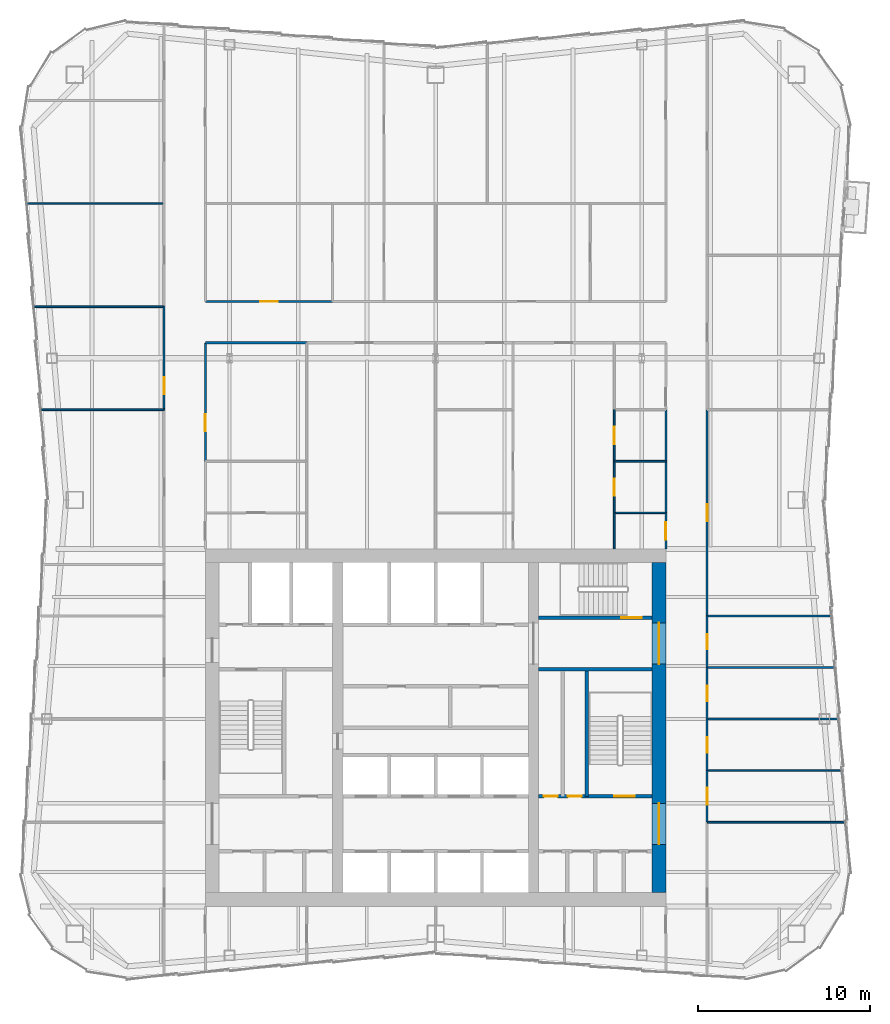
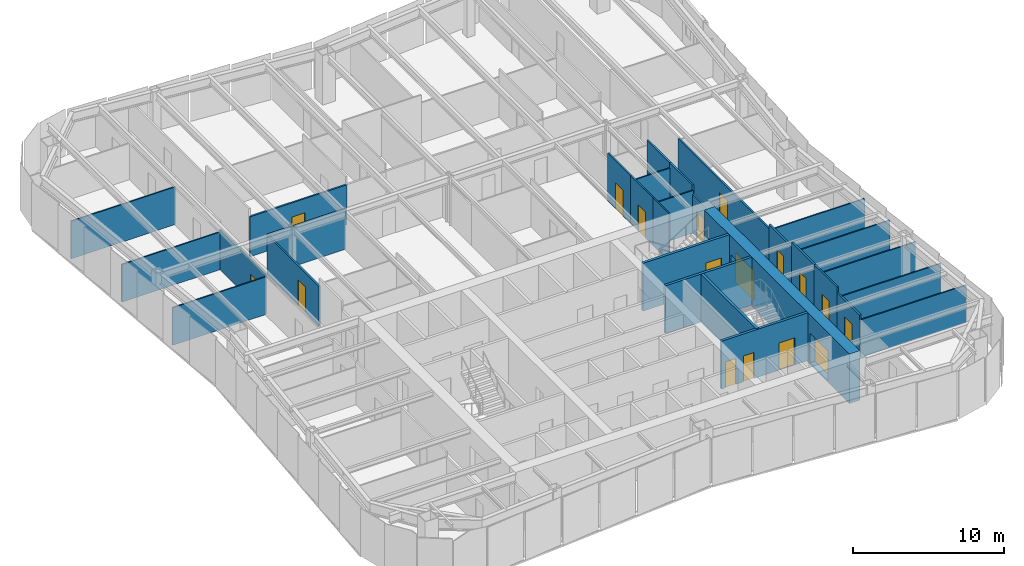
# One storey, part 8 of 12: 30 walls, 17 doors, 17 openings.
"""IFC4 building model written with IfcOpenShell, lengths in metres."""

from ifc_helpers import new_model, si_unit, direction, frame, frame_2d, origin, place, context, subcontext, project, spatial, rectangle, extrude, material, layer, layer_set, type_object, element, fill, save


model = new_model("IFC4")

# Units and contexts
model_context = context("Model", 3, precision=1e-05, world=origin(), true_north=direction((0.0, 1.0)))
body_context = subcontext(model_context, "Body", "Model", "MODEL_VIEW")
ifc_project = project(units=[si_unit("LENGTHUNIT", "METRE"), si_unit("AREAUNIT", "SQUARE_METRE"), si_unit("VOLUMEUNIT", "CUBIC_METRE"), si_unit("PLANEANGLEUNIT", "RADIAN"), si_unit("MASSUNIT", "GRAM", prefix="KILO")], contexts=[model_context])

# Site, building, storey
site_placement = place(None, origin())
site = spatial("IfcSite", under=ifc_project, at=site_placement, CompositionType="ELEMENT")
building_placement = place(site_placement, origin())
building = spatial("IfcBuilding", under=site, at=building_placement, Name="Verdant Reach Tower", CompositionType="ELEMENT")
storey_placement = place(building_placement, frame((0.0, 0.0, 266.0)))
storey = spatial("IfcBuildingStorey", under=building, at=storey_placement, Name="L61", CompositionType="ELEMENT", Elevation=266.0)

# Wall, openings, doors
ifc_material_1 = material(Name="Concrete C40/50", Category="concrete")
ifc_layer_1 = layer(ifc_material_1, 0.199951171875)
ifc_layer_set_1 = layer_set([ifc_layer_1], Name="CO-WALL-STAIR")
wall_type_1 = type_object("IfcWallType", Name="CO-WALL-STAIR", PredefinedType="PARTITIONING", material=ifc_layer_set_1)
wall_1_placement = place(storey_placement, frame((6.0, 24.0, 0.0), z_axis=(0.0, 0.0, 1.0), x_axis=(1.0, 0.0, 0.0)))
wall_1 = element("IfcWall", 1, at=wall_1_placement, inside=storey, type_object=wall_type_1, Name="Stair enclosure wall, L61", PredefinedType="PARTITIONING", context=body_context, shape_type="SweptSolid", body=[
    extrude(rectangle(XDim=6.60009765625, YDim=0.199951171875, at=frame_2d((3.300048828125, 0.0))), origin(), (0.0, 0.0, 1.0), 3.8701171875),
])
opening_1_placement = place(wall_1_placement, frame((0.300048828125, 0.0, 0.0)))
opening_1 = element("IfcOpeningElement", 2, at=opening_1_placement, cuts=wall_1, Name="Opening CDN", PredefinedType="OPENING", context=body_context, shape_type="SweptSolid", body=[
    extrude(rectangle(XDim=0.800048828125, YDim=2.10009765625, at=frame_2d((0.39990234375, 1.050048828125))), frame((0.0, 0.10986328125, 0.0), z_axis=(0.0, -1.0, 0.0), x_axis=(1.0, 0.0, 0.0)), (0.0, 0.0, 1.0), 0.219970703125),
])
opening_2_placement = place(wall_1_placement, frame((1.699951171875, 0.0, 0.0)))
opening_2 = element("IfcOpeningElement", 3, at=opening_2_placement, cuts=wall_1, Name="Opening CDN", PredefinedType="OPENING", context=body_context, shape_type="SweptSolid", body=[
    extrude(rectangle(XDim=0.800048828125, YDim=2.10009765625, at=frame_2d((0.39990234375, 1.050048828125))), frame((0.0, 0.10986328125, 0.0), z_axis=(0.0, -1.0, 0.0), x_axis=(1.0, 0.0, 0.0)), (0.0, 0.0, 1.0), 0.219970703125),
])
opening_3_placement = place(wall_1_placement, frame((4.39990234375, 0.0, 0.0)))
opening_3 = element("IfcOpeningElement", 4, at=opening_3_placement, cuts=wall_1, Name="Opening SD", PredefinedType="OPENING", context=body_context, shape_type="SweptSolid", body=[
    extrude(rectangle(XDim=1.199951171875, YDim=2.199951171875, at=frame_2d((0.60009765625, 1.10009765625))), frame((0.0, 0.10986328125, 0.0), z_axis=(0.0, -1.0, 0.0), x_axis=(1.0, 0.0, 0.0)), (0.0, 0.0, 1.0), 0.219970703125),
])
ifc_material_2 = material(Name="Timber", Category="wood")
door_type_1 = type_object("IfcDoorType", Name="CO-DOOR-ROOM-NARROW", OperationType="NOTDEFINED", PredefinedType="DOOR", material=ifc_material_2)
door_1_placement = place(opening_1_placement, origin())
door_1 = element("IfcDoor", 5, at=door_1_placement, inside=storey, type_object=door_type_1, Name="Core room door, L61", OperationType="SINGLE_SWING_LEFT", OverallHeight=2.10009765625, OverallWidth=0.800048828125, PredefinedType="DOOR", context=body_context, shape_type="SweptSolid", body=[
    extrude(rectangle(XDim=0.800048828125, YDim=2.10009765625, at=frame_2d((0.39990234375, 1.050048828125))), frame((0.0, 0.02490234375, 0.0), z_axis=(0.0, -1.0, 0.0), x_axis=(1.0, 0.0, 0.0)), (0.0, 0.0, 1.0), 0.050048828125),
])
fill(opening_1, door_1)
door_2_placement = place(opening_2_placement, origin())
door_2 = element("IfcDoor", 6, at=door_2_placement, inside=storey, type_object=door_type_1, Name="Core room door, L61", OperationType="SINGLE_SWING_RIGHT", OverallHeight=2.10009765625, OverallWidth=0.800048828125, PredefinedType="DOOR", context=body_context, shape_type="SweptSolid", body=[
    extrude(rectangle(XDim=0.800048828125, YDim=2.10009765625, at=frame_2d((0.39990234375, 1.050048828125))), frame((0.0, 0.02490234375, 0.0), z_axis=(0.0, -1.0, 0.0), x_axis=(1.0, 0.0, 0.0)), (0.0, 0.0, 1.0), 0.050048828125),
])
fill(opening_2, door_2)
ifc_material_3 = material(Name="Steel", Category="steel")
door_type_2 = type_object("IfcDoorType", Name="CO-DOOR-STAIR", OperationType="NOTDEFINED", PredefinedType="DOOR", material=ifc_material_3)
door_3_placement = place(opening_3_placement, origin())
door_3 = element("IfcDoor", 7, at=door_3_placement, inside=storey, type_object=door_type_2, Name="Stair door, L61", OperationType="SINGLE_SWING_LEFT", OverallHeight=2.199951171875, OverallWidth=1.199951171875, PredefinedType="DOOR", context=body_context, shape_type="SweptSolid", body=[
    extrude(rectangle(XDim=1.199951171875, YDim=2.199951171875, at=frame_2d((0.60009765625, 1.10009765625))), frame((0.0, 0.02490234375, 0.0), z_axis=(0.0, -1.0, 0.0), x_axis=(1.0, 0.0, 0.0)), (0.0, 0.0, 1.0), 0.050048828125),
])
fill(opening_3, door_3)

# Wall
wall_2_placement = place(storey_placement, frame((6.0, 31.39990234375, 0.0), z_axis=(0.0, 0.0, 1.0), x_axis=(1.0, 0.0, 0.0)))
element("IfcWall", 8, at=wall_2_placement, inside=storey, type_object=wall_type_1, Name="Stair enclosure wall, L61", PredefinedType="PARTITIONING", context=body_context, shape_type="SweptSolid", body=[
    extrude(rectangle(XDim=6.60009765625, YDim=0.199951171875, at=frame_2d((3.300048828125, 0.0))), origin(), (0.0, 0.0, 1.0), 3.8701171875),
])

# Wall, opening, door
wall_3_placement = place(storey_placement, frame((6.0, 34.39990234375, 0.0), z_axis=(0.0, 0.0, 1.0), x_axis=(1.0, 0.0, 0.0)))
wall_3 = element("IfcWall", 9, at=wall_3_placement, inside=storey, type_object=wall_type_1, Name="Stair enclosure wall, L61", PredefinedType="PARTITIONING", context=body_context, shape_type="SweptSolid", body=[
    extrude(rectangle(XDim=6.60009765625, YDim=0.199951171875, at=frame_2d((3.300048828125, 0.0))), origin(), (0.0, 0.0, 1.0), 3.8701171875),
])
opening_4_placement = place(wall_3_placement, frame((4.800048828125, 0.0, 0.0)))
opening_4 = element("IfcOpeningElement", 10, at=opening_4_placement, cuts=wall_3, Name="Opening SD", PredefinedType="OPENING", context=body_context, shape_type="SweptSolid", body=[
    extrude(rectangle(XDim=1.199951171875, YDim=2.199951171875, at=frame_2d((0.60009765625, 1.10009765625))), frame((0.0, 0.10986328125, 0.0), z_axis=(0.0, -1.0, 0.0), x_axis=(1.0, 0.0, 0.0)), (0.0, 0.0, 1.0), 0.219970703125),
])
door_4_placement = place(opening_4_placement, origin())
door_4 = element("IfcDoor", 11, at=door_4_placement, inside=storey, type_object=door_type_2, Name="Stair door, L61", OperationType="SINGLE_SWING_RIGHT", OverallHeight=2.199951171875, OverallWidth=1.199951171875, PredefinedType="DOOR", context=body_context, shape_type="SweptSolid", body=[
    extrude(rectangle(XDim=1.199951171875, YDim=2.199951171875, at=frame_2d((0.60009765625, 1.10009765625))), frame((0.0, 0.02490234375, 0.0), z_axis=(0.0, -1.0, 0.0), x_axis=(1.0, 0.0, 0.0)), (0.0, 0.0, 1.0), 0.050048828125),
])
fill(opening_4, door_4)

# Walls
wall_4_placement = place(storey_placement, frame((8.800048828125, 24.0, 0.0), z_axis=(0.0, 0.0, 1.0), x_axis=(0.0, 1.0, 0.0)))
element("IfcWall", 12, at=wall_4_placement, inside=storey, type_object=wall_type_1, Name="Stair enclosure wall, L61", PredefinedType="PARTITIONING", context=body_context, shape_type="SweptSolid", body=[
    extrude(rectangle(XDim=7.39990234375, YDim=0.199951171875, at=frame_2d((3.699951171875, 0.0))), origin(), (0.0, 0.0, 1.0), 3.8701171875),
])
ifc_material_4 = material(Name="Gypsum board on steel studs", Category="steel")
ifc_layer_2 = layer(ifc_material_4, 0.10009765625)
ifc_layer_set_2 = layer_set([ifc_layer_2], Name="FL-W1 Partition 100")
wall_type_2 = type_object("IfcWallType", Name="FL-W1 Partition 100", PredefinedType="PARTITIONING", material=ifc_layer_set_2)
wall_5_placement = place(storey_placement, frame((-15.800048828125, 46.5, 0.0), z_axis=(0.0, 0.0, 1.0), x_axis=(-1.0, 0.0, 0.0)))
element("IfcWall", 13, at=wall_5_placement, inside=storey, type_object=wall_type_2, Name="Partition 61.45", PredefinedType="PARTITIONING", context=body_context, shape_type="SweptSolid", body=[
    extrude(rectangle(XDim=7.14208984375, YDim=0.10009765625, at=frame_2d((3.571044921875, 0.0))), origin(), (0.0, 0.0, 1.0), 3.0400390625),
])
wall_6_placement = place(storey_placement, frame((-15.800048828125, 52.5, 0.0), z_axis=(0.0, 0.0, 1.0), x_axis=(-1.0, 0.0, 0.0)))
element("IfcWall", 14, at=wall_6_placement, inside=storey, type_object=wall_type_2, Name="Partition 61.46", PredefinedType="PARTITIONING", context=body_context, shape_type="SweptSolid", body=[
    extrude(rectangle(XDim=7.555908203125, YDim=0.10009765625, at=frame_2d((3.77783203125, 0.0))), origin(), (0.0, 0.0, 1.0), 3.0400390625),
])
wall_7_placement = place(storey_placement, frame((-15.800048828125, 58.5, 0.0), z_axis=(0.0, 0.0, 1.0), x_axis=(-1.0, 0.0, 0.0)))
element("IfcWall", 15, at=wall_7_placement, inside=storey, type_object=wall_type_2, Name="Partition 61.47", PredefinedType="PARTITIONING", context=body_context, shape_type="SweptSolid", body=[
    extrude(rectangle(XDim=7.9697265625, YDim=0.10009765625, at=frame_2d((3.98486328125, 0.0))), origin(), (0.0, 0.0, 1.0), 3.0400390625),
])
wall_8_placement = place(storey_placement, frame((23.873046875, 22.5, 0.0), z_axis=(0.0, 0.0, 1.0), x_axis=(-1.0, 0.0, 0.0)))
element("IfcWall", 16, at=wall_8_placement, inside=storey, type_object=wall_type_2, Name="Partition 61.49", PredefinedType="PARTITIONING", context=body_context, shape_type="SweptSolid", body=[
    extrude(rectangle(XDim=8.072998046875, YDim=0.10009765625, at=frame_2d((4.03662109375, 0.0))), origin(), (0.0, 0.0, 1.0), 3.0400390625),
])
wall_9_placement = place(storey_placement, frame((23.666259765625, 25.5, 0.0), z_axis=(0.0, 0.0, 1.0), x_axis=(-1.0, 0.0, 0.0)))
element("IfcWall", 17, at=wall_9_placement, inside=storey, type_object=wall_type_2, Name="Partition 61.50", PredefinedType="PARTITIONING", context=body_context, shape_type="SweptSolid", body=[
    extrude(rectangle(XDim=7.8662109375, YDim=0.10009765625, at=frame_2d((3.93310546875, 0.0))), origin(), (0.0, 0.0, 1.0), 3.0400390625),
])
wall_10_placement = place(storey_placement, frame((23.459228515625, 28.5, 0.0), z_axis=(0.0, 0.0, 1.0), x_axis=(-1.0, 0.0, 0.0)))
element("IfcWall", 18, at=wall_10_placement, inside=storey, type_object=wall_type_2, Name="Partition 61.51", PredefinedType="PARTITIONING", context=body_context, shape_type="SweptSolid", body=[
    extrude(rectangle(XDim=7.6591796875, YDim=0.10009765625, at=frame_2d((3.82958984375, 0.0))), origin(), (0.0, 0.0, 1.0), 3.0400390625),
])
wall_11_placement = place(storey_placement, frame((23.25244140625, 31.5, 0.0), z_axis=(0.0, 0.0, 1.0), x_axis=(-1.0, 0.0, 0.0)))
element("IfcWall", 19, at=wall_11_placement, inside=storey, type_object=wall_type_2, Name="Partition 61.52", PredefinedType="PARTITIONING", context=body_context, shape_type="SweptSolid", body=[
    extrude(rectangle(XDim=7.452392578125, YDim=0.10009765625, at=frame_2d((3.72607421875, 0.0))), origin(), (0.0, 0.0, 1.0), 3.0400390625),
])
wall_12_placement = place(storey_placement, frame((23.04541015625, 34.5, 0.0), z_axis=(0.0, 0.0, 1.0), x_axis=(-1.0, 0.0, 0.0)))
element("IfcWall", 20, at=wall_12_placement, inside=storey, type_object=wall_type_2, Name="Partition 61.53", PredefinedType="PARTITIONING", context=body_context, shape_type="SweptSolid", body=[
    extrude(rectangle(XDim=7.245361328125, YDim=0.10009765625, at=frame_2d((3.62255859375, 0.0))), origin(), (0.0, 0.0, 1.0), 3.0400390625),
])
wall_13_placement = place(storey_placement, frame((13.39990234375, 40.5, 0.0), z_axis=(0.0, 0.0, 1.0), x_axis=(-1.0, 0.0, 0.0)))
element("IfcWall", 21, at=wall_13_placement, inside=storey, type_object=wall_type_2, Name="Partition 61.67", PredefinedType="PARTITIONING", context=body_context, shape_type="SweptSolid", body=[
    extrude(rectangle(XDim=3.0, YDim=0.10009765625, at=frame_2d((1.5, 0.0))), origin(), (0.0, 0.0, 1.0), 3.43994140625),
])
wall_14_placement = place(storey_placement, frame((10.39990234375, 40.50390625, 0.0), z_axis=(0.0, 0.0, 1.0), x_axis=(0.0, -1.0, 0.0)))
element("IfcWall", 22, at=wall_14_placement, inside=storey, type_object=wall_type_2, Name="Partition 61.68", PredefinedType="PARTITIONING", context=body_context, shape_type="SweptSolid", body=[
    extrude(rectangle(XDim=2.10400390625, YDim=0.10009765625, at=frame_2d((1.052001953125, 0.0))), origin(), (0.0, 0.0, 1.0), 3.8701171875),
])
wall_15_placement = place(storey_placement, frame((13.39990234375, 43.5, 0.0), z_axis=(0.0, 0.0, 1.0), x_axis=(-1.0, 0.0, 0.0)))
element("IfcWall", 23, at=wall_15_placement, inside=storey, type_object=wall_type_2, Name="Partition 61.69", PredefinedType="PARTITIONING", context=body_context, shape_type="SweptSolid", body=[
    extrude(rectangle(XDim=3.0, YDim=0.10009765625, at=frame_2d((1.5, 0.0))), origin(), (0.0, 0.0, 1.0), 3.43994140625),
])

# Wall, opening, door
wall_16_placement = place(storey_placement, frame((10.39990234375, 43.50390625, 0.0), z_axis=(0.0, 0.0, 1.0), x_axis=(0.0, -1.0, 0.0)))
wall_16 = element("IfcWall", 24, at=wall_16_placement, inside=storey, type_object=wall_type_2, Name="Partition 61.70", PredefinedType="PARTITIONING", context=body_context, shape_type="SweptSolid", body=[
    extrude(rectangle(XDim=3.0078125, YDim=0.10009765625, at=frame_2d((1.50390625, 0.0))), origin(), (0.0, 0.0, 1.0), 3.8701171875),
])
opening_5_placement = place(wall_16_placement, frame((1.00390625, 0.0, 0.0)))
opening_5 = element("IfcOpeningElement", 25, at=opening_5_placement, cuts=wall_16, Name="Opening D3", PredefinedType="OPENING", context=body_context, shape_type="SweptSolid", body=[
    extrude(rectangle(XDim=1.0, YDim=2.10009765625, at=frame_2d((0.5, 1.050048828125))), frame((0.0, 0.06005859375, 0.0), z_axis=(0.0, -1.0, 0.0), x_axis=(1.0, 0.0, 0.0)), (0.0, 0.0, 1.0), 0.1201171875),
])
ifc_material_5 = material(Name="Painted timber door leaf", Category="wood")
door_type_3 = type_object("IfcDoorType", Name="FL-D3 Door 1000x2100", OperationType="NOTDEFINED", PredefinedType="DOOR", material=ifc_material_5)
door_5_placement = place(opening_5_placement, origin())
door_5 = element("IfcDoor", 26, at=door_5_placement, inside=storey, type_object=door_type_3, Name="Door 61-034", OperationType="SINGLE_SWING_RIGHT", OverallHeight=2.10009765625, OverallWidth=1.0, PredefinedType="DOOR", context=body_context, shape_type="SweptSolid", body=[
    extrude(rectangle(XDim=1.0, YDim=2.10009765625, at=frame_2d((0.5, 1.050048828125))), frame((0.0, 0.02490234375, 0.0), z_axis=(0.0, -1.0, 0.0), x_axis=(1.0, 0.0, 0.0)), (0.0, 0.0, 1.0), 0.050048828125),
])
fill(opening_5, door_5)

wall_17_placement = place(storey_placement, frame((10.39990234375, 46.50390625, 0.0), z_axis=(0.0, 0.0, 1.0), x_axis=(0.0, -1.0, 0.0)))
wall_17 = element("IfcWall", 27, at=wall_17_placement, inside=storey, type_object=wall_type_2, Name="Partition 61.72", PredefinedType="PARTITIONING", context=body_context, shape_type="SweptSolid", body=[
    extrude(rectangle(XDim=3.0078125, YDim=0.10009765625, at=frame_2d((1.50390625, 0.0))), origin(), (0.0, 0.0, 1.0), 3.8701171875),
])
opening_6_placement = place(wall_17_placement, frame((1.00390625, 0.0, 0.0)))
opening_6 = element("IfcOpeningElement", 28, at=opening_6_placement, cuts=wall_17, Name="Opening D3", PredefinedType="OPENING", context=body_context, shape_type="SweptSolid", body=[
    extrude(rectangle(XDim=1.0, YDim=2.10009765625, at=frame_2d((0.5, 1.050048828125))), frame((0.0, 0.06005859375, 0.0), z_axis=(0.0, -1.0, 0.0), x_axis=(1.0, 0.0, 0.0)), (0.0, 0.0, 1.0), 0.1201171875),
])
door_6_placement = place(opening_6_placement, origin())
door_6 = element("IfcDoor", 29, at=door_6_placement, inside=storey, type_object=door_type_3, Name="Door 61-035", OperationType="SINGLE_SWING_LEFT", OverallHeight=2.10009765625, OverallWidth=1.0, PredefinedType="DOOR", context=body_context, shape_type="SweptSolid", body=[
    extrude(rectangle(XDim=1.0, YDim=2.10009765625, at=frame_2d((0.5, 1.050048828125))), frame((0.0, 0.02490234375, 0.0), z_axis=(0.0, -1.0, 0.0), x_axis=(1.0, 0.0, 0.0)), (0.0, 0.0, 1.0), 0.050048828125),
])
fill(opening_6, door_6)

ifc_material_6 = material(Name="Gypsum board on steel studs, fire rated", Category="steel")
ifc_layer_3 = layer(ifc_material_6, 0.125)
ifc_layer_set_3 = layer_set([ifc_layer_3], Name="FL-W2 Corridor wall 125")
wall_type_3 = type_object("IfcWallType", Name="FL-W2 Corridor wall 125", PredefinedType="PARTITIONING", material=ifc_layer_set_3)
wall_18_placement = place(storey_placement, frame((-15.800048828125, 46.5, 0.0), z_axis=(0.0, 0.0, 1.0), x_axis=(0.0, 1.0, 0.0)))
wall_18 = element("IfcWall", 30, at=wall_18_placement, inside=storey, type_object=wall_type_3, Name="Partition 61.06", PredefinedType="PARTITIONING", context=body_context, shape_type="SweptSolid", body=[
    extrude(rectangle(XDim=6.0, YDim=0.125, at=frame_2d((3.0, 0.0))), origin(), (0.0, 0.0, 1.0), 3.239990234375),
])
opening_7_placement = place(wall_18_placement, frame((0.89990234375, 0.0, 0.0)))
opening_7 = element("IfcOpeningElement", 31, at=opening_7_placement, cuts=wall_18, Name="Opening D2", PredefinedType="OPENING", context=body_context, shape_type="SweptSolid", body=[
    extrude(rectangle(XDim=1.0, YDim=2.10009765625, at=frame_2d((0.5, 1.050048828125))), frame((0.0, 0.072509765625, 0.0), z_axis=(0.0, -1.0, 0.0), x_axis=(1.0, 0.0, 0.0)), (0.0, 0.0, 1.0), 0.14501953125),
])
ifc_material_7 = material(Name="Timber door leaf, fire rated", Category="wood")
door_type_4 = type_object("IfcDoorType", Name="FL-D2 Entrance door 1000x2100 FD30", OperationType="NOTDEFINED", PredefinedType="DOOR", material=ifc_material_7)
door_7_placement = place(opening_7_placement, origin())
door_7 = element("IfcDoor", 32, at=door_7_placement, inside=storey, type_object=door_type_4, Name="Door 61-006", OperationType="SINGLE_SWING_LEFT", OverallHeight=2.10009765625, OverallWidth=1.0, PredefinedType="DOOR", context=body_context, shape_type="SweptSolid", body=[
    extrude(rectangle(XDim=1.0, YDim=2.10009765625, at=frame_2d((0.5, 1.050048828125))), frame((0.0, 0.02490234375, 0.0), z_axis=(0.0, -1.0, 0.0), x_axis=(1.0, 0.0, 0.0)), (0.0, 0.0, 1.0), 0.050048828125),
])
fill(opening_7, door_7)

wall_19_placement = place(storey_placement, frame((15.800048828125, 25.5, 0.0), z_axis=(0.0, 0.0, 1.0), x_axis=(0.0, -1.0, 0.0)))
wall_19 = element("IfcWall", 33, at=wall_19_placement, inside=storey, type_object=wall_type_3, Name="Partition 61.11", PredefinedType="PARTITIONING", context=body_context, shape_type="SweptSolid", body=[
    extrude(rectangle(XDim=3.0, YDim=0.125, at=frame_2d((1.5, 0.0))), origin(), (0.0, 0.0, 1.0), 3.43994140625),
])
opening_8_placement = place(wall_19_placement, frame((1.0, 0.0, 0.0)))
opening_8 = element("IfcOpeningElement", 34, at=opening_8_placement, cuts=wall_19, Name="Opening D2", PredefinedType="OPENING", context=body_context, shape_type="SweptSolid", body=[
    extrude(rectangle(XDim=1.0, YDim=2.10009765625, at=frame_2d((0.5, 1.050048828125))), frame((0.0, 0.072509765625, 0.0), z_axis=(0.0, -1.0, 0.0), x_axis=(1.0, 0.0, 0.0)), (0.0, 0.0, 1.0), 0.14501953125),
])
door_8_placement = place(opening_8_placement, origin())
door_8 = element("IfcDoor", 35, at=door_8_placement, inside=storey, type_object=door_type_4, Name="Door 61-011", OperationType="SINGLE_SWING_LEFT", OverallHeight=2.10009765625, OverallWidth=1.0, PredefinedType="DOOR", context=body_context, shape_type="SweptSolid", body=[
    extrude(rectangle(XDim=1.0, YDim=2.10009765625, at=frame_2d((0.5, 1.050048828125))), frame((0.0, 0.02490234375, 0.0), z_axis=(0.0, -1.0, 0.0), x_axis=(1.0, 0.0, 0.0)), (0.0, 0.0, 1.0), 0.050048828125),
])
fill(opening_8, door_8)

wall_20_placement = place(storey_placement, frame((15.800048828125, 28.5, 0.0), z_axis=(0.0, 0.0, 1.0), x_axis=(0.0, -1.0, 0.0)))
wall_20 = element("IfcWall", 36, at=wall_20_placement, inside=storey, type_object=wall_type_3, Name="Partition 61.12", PredefinedType="PARTITIONING", context=body_context, shape_type="SweptSolid", body=[
    extrude(rectangle(XDim=3.0, YDim=0.125, at=frame_2d((1.5, 0.0))), origin(), (0.0, 0.0, 1.0), 3.8701171875),
])
opening_9_placement = place(wall_20_placement, frame((1.050048828125, 0.0, 0.0)))
opening_9 = element("IfcOpeningElement", 37, at=opening_9_placement, cuts=wall_20, Name="Opening D1", PredefinedType="OPENING", context=body_context, shape_type="SweptSolid", body=[
    extrude(rectangle(XDim=0.89990234375, YDim=2.10009765625, at=frame_2d((0.449951171875, 1.050048828125))), frame((0.0, 0.072509765625, 0.0), z_axis=(0.0, -1.0, 0.0), x_axis=(1.0, 0.0, 0.0)), (0.0, 0.0, 1.0), 0.14501953125),
])
door_type_5 = type_object("IfcDoorType", Name="FL-D1 Door 900x2100", OperationType="NOTDEFINED", PredefinedType="DOOR", material=ifc_material_5)
door_9_placement = place(opening_9_placement, origin())
door_9 = element("IfcDoor", 38, at=door_9_placement, inside=storey, type_object=door_type_5, Name="Door 61-012", OperationType="SINGLE_SWING_RIGHT", OverallHeight=2.10009765625, OverallWidth=0.89990234375, PredefinedType="DOOR", context=body_context, shape_type="SweptSolid", body=[
    extrude(rectangle(XDim=0.89990234375, YDim=2.10009765625, at=frame_2d((0.449951171875, 1.050048828125))), frame((0.0, 0.02490234375, 0.0), z_axis=(0.0, -1.0, 0.0), x_axis=(1.0, 0.0, 0.0)), (0.0, 0.0, 1.0), 0.050048828125),
])
fill(opening_9, door_9)

wall_21_placement = place(storey_placement, frame((15.800048828125, 31.5, 0.0), z_axis=(0.0, 0.0, 1.0), x_axis=(0.0, -1.0, 0.0)))
wall_21 = element("IfcWall", 39, at=wall_21_placement, inside=storey, type_object=wall_type_3, Name="Partition 61.13", PredefinedType="PARTITIONING", context=body_context, shape_type="SweptSolid", body=[
    extrude(rectangle(XDim=3.0, YDim=0.125, at=frame_2d((1.5, 0.0))), origin(), (0.0, 0.0, 1.0), 3.8701171875),
])
opening_10_placement = place(wall_21_placement, frame((1.050048828125, 0.0, 0.0)))
opening_10 = element("IfcOpeningElement", 40, at=opening_10_placement, cuts=wall_21, Name="Opening D1", PredefinedType="OPENING", context=body_context, shape_type="SweptSolid", body=[
    extrude(rectangle(XDim=0.89990234375, YDim=2.10009765625, at=frame_2d((0.449951171875, 1.050048828125))), frame((0.0, 0.072509765625, 0.0), z_axis=(0.0, -1.0, 0.0), x_axis=(1.0, 0.0, 0.0)), (0.0, 0.0, 1.0), 0.14501953125),
])
door_10_placement = place(opening_10_placement, origin())
door_10 = element("IfcDoor", 41, at=door_10_placement, inside=storey, type_object=door_type_5, Name="Door 61-013", OperationType="SINGLE_SWING_LEFT", OverallHeight=2.10009765625, OverallWidth=0.89990234375, PredefinedType="DOOR", context=body_context, shape_type="SweptSolid", body=[
    extrude(rectangle(XDim=0.89990234375, YDim=2.10009765625, at=frame_2d((0.449951171875, 1.050048828125))), frame((0.0, 0.02490234375, 0.0), z_axis=(0.0, -1.0, 0.0), x_axis=(1.0, 0.0, 0.0)), (0.0, 0.0, 1.0), 0.050048828125),
])
fill(opening_10, door_10)

wall_22_placement = place(storey_placement, frame((15.800048828125, 34.5, 0.0), z_axis=(0.0, 0.0, 1.0), x_axis=(0.0, -1.0, 0.0)))
wall_22 = element("IfcWall", 42, at=wall_22_placement, inside=storey, type_object=wall_type_3, Name="Partition 61.14", PredefinedType="PARTITIONING", context=body_context, shape_type="SweptSolid", body=[
    extrude(rectangle(XDim=3.0, YDim=0.125, at=frame_2d((1.5, 0.0))), origin(), (0.0, 0.0, 1.0), 3.47998046875),
])
opening_11_placement = place(wall_22_placement, frame((1.050048828125, 0.0, 0.0)))
opening_11 = element("IfcOpeningElement", 43, at=opening_11_placement, cuts=wall_22, Name="Opening D1", PredefinedType="OPENING", context=body_context, shape_type="SweptSolid", body=[
    extrude(rectangle(XDim=0.89990234375, YDim=2.10009765625, at=frame_2d((0.449951171875, 1.050048828125))), frame((0.0, 0.072509765625, 0.0), z_axis=(0.0, -1.0, 0.0), x_axis=(1.0, 0.0, 0.0)), (0.0, 0.0, 1.0), 0.14501953125),
])
door_11_placement = place(opening_11_placement, origin())
door_11 = element("IfcDoor", 44, at=door_11_placement, inside=storey, type_object=door_type_5, Name="Door 61-014", OperationType="SINGLE_SWING_RIGHT", OverallHeight=2.10009765625, OverallWidth=0.89990234375, PredefinedType="DOOR", context=body_context, shape_type="SweptSolid", body=[
    extrude(rectangle(XDim=0.89990234375, YDim=2.10009765625, at=frame_2d((0.449951171875, 1.050048828125))), frame((0.0, 0.02490234375, 0.0), z_axis=(0.0, -1.0, 0.0), x_axis=(1.0, 0.0, 0.0)), (0.0, 0.0, 1.0), 0.050048828125),
])
fill(opening_11, door_11)

wall_23_placement = place(storey_placement, frame((15.800048828125, 46.5, 0.0), z_axis=(0.0, 0.0, 1.0), x_axis=(0.0, -1.0, 0.0)))
wall_23 = element("IfcWall", 45, at=wall_23_placement, inside=storey, type_object=wall_type_3, Name="Partition 61.15", PredefinedType="PARTITIONING", context=body_context, shape_type="SweptSolid", body=[
    extrude(rectangle(XDim=12.0, YDim=0.125, at=frame_2d((6.0, 0.0))), origin(), (0.0, 0.0, 1.0), 3.139892578125),
])
opening_12_placement = place(wall_23_placement, frame((5.5, 0.0, 0.0)))
opening_12 = element("IfcOpeningElement", 46, at=opening_12_placement, cuts=wall_23, Name="Opening D2", PredefinedType="OPENING", context=body_context, shape_type="SweptSolid", body=[
    extrude(rectangle(XDim=1.0, YDim=2.10009765625, at=frame_2d((0.5, 1.050048828125))), frame((0.0, 0.072509765625, 0.0), z_axis=(0.0, -1.0, 0.0), x_axis=(1.0, 0.0, 0.0)), (0.0, 0.0, 1.0), 0.14501953125),
])
door_12_placement = place(opening_12_placement, origin())
door_12 = element("IfcDoor", 47, at=door_12_placement, inside=storey, type_object=door_type_4, Name="Door 61-015", OperationType="SINGLE_SWING_LEFT", OverallHeight=2.10009765625, OverallWidth=1.0, PredefinedType="DOOR", context=body_context, shape_type="SweptSolid", body=[
    extrude(rectangle(XDim=1.0, YDim=2.10009765625, at=frame_2d((0.5, 1.050048828125))), frame((0.0, 0.02490234375, 0.0), z_axis=(0.0, -1.0, 0.0), x_axis=(1.0, 0.0, 0.0)), (0.0, 0.0, 1.0), 0.050048828125),
])
fill(opening_12, door_12)

wall_24_placement = place(storey_placement, frame((-13.39990234375, 50.39990234375, 0.0), z_axis=(0.0, 0.0, 1.0), x_axis=(0.0, -1.0, 0.0)))
wall_24 = element("IfcWall", 48, at=wall_24_placement, inside=storey, type_object=wall_type_3, Name="Partition 61.22", PredefinedType="PARTITIONING", context=body_context, shape_type="SweptSolid", body=[
    extrude(rectangle(XDim=6.89990234375, YDim=0.125, at=frame_2d((3.449951171875, 0.0))), origin(), (0.0, 0.0, 1.0), 3.239990234375),
])
opening_13_placement = place(wall_24_placement, frame((4.14990234375, 0.0, 0.0)))
opening_13 = element("IfcOpeningElement", 49, at=opening_13_placement, cuts=wall_24, Name="Opening D2", PredefinedType="OPENING", context=body_context, shape_type="SweptSolid", body=[
    extrude(rectangle(XDim=1.0, YDim=2.10009765625, at=frame_2d((0.5, 1.050048828125))), frame((0.0, 0.072509765625, 0.0), z_axis=(0.0, -1.0, 0.0), x_axis=(1.0, 0.0, 0.0)), (0.0, 0.0, 1.0), 0.14501953125),
])
door_13_placement = place(opening_13_placement, origin())
door_13 = element("IfcDoor", 50, at=door_13_placement, inside=storey, type_object=door_type_4, Name="Door 61-021", OperationType="SINGLE_SWING_RIGHT", OverallHeight=2.10009765625, OverallWidth=1.0, PredefinedType="DOOR", context=body_context, shape_type="SweptSolid", body=[
    extrude(rectangle(XDim=1.0, YDim=2.10009765625, at=frame_2d((0.5, 1.050048828125))), frame((0.0, 0.02490234375, 0.0), z_axis=(0.0, -1.0, 0.0), x_axis=(1.0, 0.0, 0.0)), (0.0, 0.0, 1.0), 0.050048828125),
])
fill(opening_13, door_13)

# Wall
wall_25_placement = place(storey_placement, frame((-7.5, 50.39990234375, 0.0), z_axis=(0.0, 0.0, 1.0), x_axis=(-1.0, 0.0, 0.0)))
element("IfcWall", 51, at=wall_25_placement, inside=storey, type_object=wall_type_3, Name="Partition 61.23", PredefinedType="PARTITIONING", context=body_context, shape_type="SweptSolid", body=[
    extrude(rectangle(XDim=5.89990234375, YDim=0.125, at=frame_2d((2.949951171875, 0.0))), origin(), (0.0, 0.0, 1.0), 3.239990234375),
])

# Wall, opening, door
wall_26_placement = place(storey_placement, frame((13.39990234375, 38.39990234375, 0.0), z_axis=(0.0, 0.0, 1.0), x_axis=(0.0, 1.0, 0.0)))
wall_26 = element("IfcWall", 52, at=wall_26_placement, inside=storey, type_object=wall_type_3, Name="Partition 61.25", PredefinedType="PARTITIONING", context=body_context, shape_type="SweptSolid", body=[
    extrude(rectangle(XDim=2.10009765625, YDim=0.125, at=frame_2d((1.050048828125, 0.0))), origin(), (0.0, 0.0, 1.0), 3.139892578125),
])
opening_14_placement = place(wall_26_placement, frame((0.550048828125, 0.0, 0.0)))
opening_14 = element("IfcOpeningElement", 53, at=opening_14_placement, cuts=wall_26, Name="Opening D2", PredefinedType="OPENING", context=body_context, shape_type="SweptSolid", body=[
    extrude(rectangle(XDim=1.0, YDim=2.10009765625, at=frame_2d((0.5, 1.050048828125))), frame((0.0, 0.072509765625, 0.0), z_axis=(0.0, -1.0, 0.0), x_axis=(1.0, 0.0, 0.0)), (0.0, 0.0, 1.0), 0.14501953125),
])
door_14_placement = place(opening_14_placement, origin())
door_14 = element("IfcDoor", 54, at=door_14_placement, inside=storey, type_object=door_type_4, Name="Door 61-023", OperationType="SINGLE_SWING_LEFT", OverallHeight=2.10009765625, OverallWidth=1.0, PredefinedType="DOOR", context=body_context, shape_type="SweptSolid", body=[
    extrude(rectangle(XDim=1.0, YDim=2.10009765625, at=frame_2d((0.5, 1.050048828125))), frame((0.0, 0.02490234375, 0.0), z_axis=(0.0, -1.0, 0.0), x_axis=(1.0, 0.0, 0.0)), (0.0, 0.0, 1.0), 0.050048828125),
])
fill(opening_14, door_14)

# Walls
for number, where, z_axis, x_axis, name in (
    (55, (13.39990234375, 40.5, 0.0), (0.0, 0.0, 1.0), (0.0, 1.0, 0.0), "Partition 61.26"),
    (56, (13.39990234375, 43.5, 0.0), (0.0, 0.0, 1.0), (0.0, 1.0, 0.0), "Partition 61.27"),
):
    element("IfcWall", number, at=place(storey_placement, frame(where, z_axis=z_axis, x_axis=x_axis)), inside=storey, type_object=wall_type_3, Name=name, PredefinedType="PARTITIONING", context=body_context, shape_type="SweptSolid", body=[
        extrude(rectangle(XDim=3.0, YDim=0.125, at=frame_2d((1.5, 0.0))), origin(), (0.0, 0.0, 1.0), 3.8701171875),
    ])

# Wall, opening, door
wall_27_placement = place(storey_placement, frame((-13.39990234375, 52.800048828125, 0.0), z_axis=(0.0, 0.0, 1.0), x_axis=(1.0, 0.0, 0.0)))
wall_27 = element("IfcWall", 57, at=wall_27_placement, inside=storey, type_object=wall_type_3, Name="Partition 61.32", PredefinedType="PARTITIONING", context=body_context, shape_type="SweptSolid", body=[
    extrude(rectangle(XDim=7.39990234375, YDim=0.125, at=frame_2d((3.699951171875, 0.0))), origin(), (0.0, 0.0, 1.0), 3.239990234375),
])
opening_15_placement = place(wall_27_placement, frame((3.199951171875, 0.0, 0.0)))
opening_15 = element("IfcOpeningElement", 58, at=opening_15_placement, cuts=wall_27, Name="Opening D2", PredefinedType="OPENING", context=body_context, shape_type="SweptSolid", body=[
    extrude(rectangle(XDim=1.0, YDim=2.10009765625, at=frame_2d((0.5, 1.050048828125))), frame((0.0, 0.072509765625, 0.0), z_axis=(0.0, -1.0, 0.0), x_axis=(1.0, 0.0, 0.0)), (0.0, 0.0, 1.0), 0.14501953125),
])
door_15_placement = place(opening_15_placement, origin())
door_15 = element("IfcDoor", 59, at=door_15_placement, inside=storey, type_object=door_type_4, Name="Door 61-027", OperationType="SINGLE_SWING_LEFT", OverallHeight=2.10009765625, OverallWidth=1.0, PredefinedType="DOOR", context=body_context, shape_type="SweptSolid", body=[
    extrude(rectangle(XDim=1.0, YDim=2.10009765625, at=frame_2d((0.5, 1.050048828125))), frame((0.0, 0.02490234375, 0.0), z_axis=(0.0, -1.0, 0.0), x_axis=(1.0, 0.0, 0.0)), (0.0, 0.0, 1.0), 0.050048828125),
])
fill(opening_15, door_15)

# Wall, openings, doors
ifc_material_8 = material(Name="Concrete C70/85", Category="concrete")
ifc_layer_4 = layer(ifc_material_8, 0.800048828125)
ifc_layer_set_4 = layer_set([ifc_layer_4], Name="ST-CORE-WALL-800")
wall_type_4 = type_object("IfcWallType", Name="ST-CORE-WALL-800", PredefinedType="SHEAR", material=ifc_layer_set_4)
wall_28_placement = place(storey_placement, frame((13.0, 18.39990234375, -0.1298828125), z_axis=(0.0, 0.0, 1.0), x_axis=(0.0, 1.0, 0.0)))
wall_28 = element("IfcWall", 60, at=wall_28_placement, inside=storey, type_object=wall_type_4, Name="Core wall E, L61", PredefinedType="SHEAR", context=body_context, shape_type="SweptSolid", body=[
    extrude(rectangle(XDim=19.2001953125, YDim=0.800048828125, at=frame_2d((9.60009765625, 0.0))), origin(), (0.0, 0.0, 1.0), 4.0),
])
opening_16_placement = place(wall_28_placement, frame((2.800048828125, 0.0, 0.1298828125)))
opening_16 = element("IfcOpeningElement", 61, at=opening_16_placement, cuts=wall_28, Name="Opening LB", PredefinedType="OPENING", context=body_context, shape_type="SweptSolid", body=[
    extrude(rectangle(XDim=2.39990234375, YDim=2.39990234375, at=frame_2d((1.199951171875, 1.199951171875))), frame((0.0, 0.409912109375, 0.0), z_axis=(0.0, -1.0, 0.0), x_axis=(1.0, 0.0, 0.0)), (0.0, 0.0, 1.0), 0.820068359375),
])
opening_17_placement = place(wall_28_placement, frame((13.300048828125, 0.0, 0.1298828125)))
opening_17 = element("IfcOpeningElement", 62, at=opening_17_placement, cuts=wall_28, Name="Opening LB", PredefinedType="OPENING", context=body_context, shape_type="SweptSolid", body=[
    extrude(rectangle(XDim=2.39990234375, YDim=2.39990234375, at=frame_2d((1.199951171875, 1.199951171875))), frame((0.0, 0.409912109375, 0.0), z_axis=(0.0, -1.0, 0.0), x_axis=(1.0, 0.0, 0.0)), (0.0, 0.0, 1.0), 0.820068359375),
])
ifc_material_9 = material(Name="Glass and steel", Category="steel")
door_type_6 = type_object("IfcDoorType", Name="CO-DOOR-LOBBY", OperationType="DOUBLE_DOOR_SINGLE_SWING", PredefinedType="DOOR", material=ifc_material_9)
door_16_placement = place(opening_16_placement, origin())
door_16 = element("IfcDoor", 63, at=door_16_placement, inside=storey, type_object=door_type_6, Name="Core entrance door, L61", OperationType="DOUBLE_DOOR_SINGLE_SWING", OverallHeight=2.39990234375, OverallWidth=2.39990234375, PredefinedType="DOOR", context=body_context, shape_type="SweptSolid", body=[
    extrude(rectangle(XDim=2.39990234375, YDim=2.39990234375, at=frame_2d((1.199951171875, 1.199951171875))), frame((0.0, 0.02490234375, 0.0), z_axis=(0.0, -1.0, 0.0), x_axis=(1.0, 0.0, 0.0)), (0.0, 0.0, 1.0), 0.050048828125),
])
fill(opening_16, door_16)
door_17_placement = place(opening_17_placement, origin())
door_17 = element("IfcDoor", 64, at=door_17_placement, inside=storey, type_object=door_type_6, Name="Core entrance door, L61", OperationType="DOUBLE_DOOR_SINGLE_SWING", OverallHeight=2.39990234375, OverallWidth=2.39990234375, PredefinedType="DOOR", context=body_context, shape_type="SweptSolid", body=[
    extrude(rectangle(XDim=2.39990234375, YDim=2.39990234375, at=frame_2d((1.199951171875, 1.199951171875))), frame((0.0, 0.02490234375, 0.0), z_axis=(0.0, -1.0, 0.0), x_axis=(1.0, 0.0, 0.0)), (0.0, 0.0, 1.0), 0.050048828125),
])
fill(opening_17, door_17)

save(model, "model.ifc")
